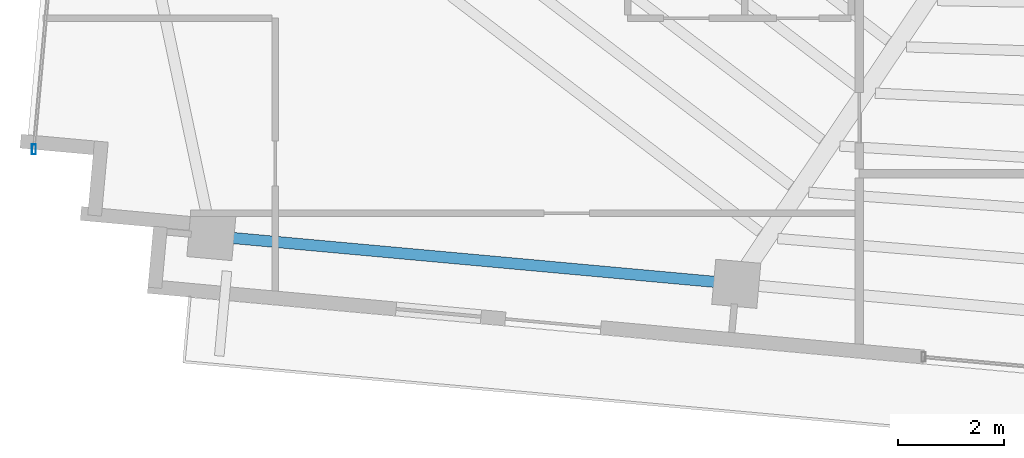
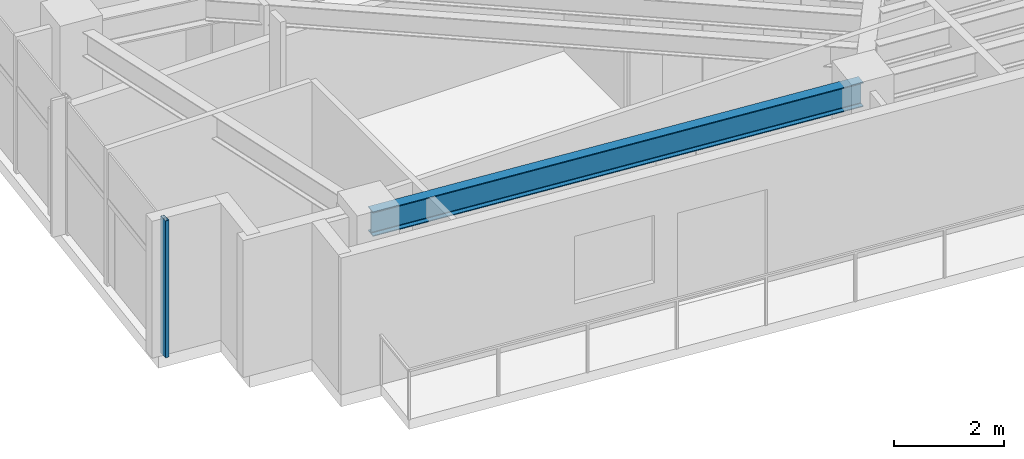
# One storey, part 2 of 22: 1 beam, 1 member, 1 element without a shape of its own.
"""IFC4 building model written with IfcOpenShell, lengths in metres."""

from ifc_helpers import new_model, si_unit, direction, frame, origin, origin_2d, place, context, subcontext, project, spatial, hollow_rectangle, i_section, extrude, source, transform, mapped, material, material_profile, profile_set, type_object, type_shapes, element, aggregate, save


model = new_model("IFC4")

# Units and contexts
model_context = context("Model", 3, precision=1e-05, world=origin(), true_north=direction((0.0, 1.0)))
body_context = subcontext(model_context, "Body", "Model", "MODEL_VIEW")
ifc_project = project(units=[si_unit("LENGTHUNIT", "METRE"), si_unit("AREAUNIT", "SQUARE_METRE"), si_unit("VOLUMEUNIT", "CUBIC_METRE"), si_unit("PLANEANGLEUNIT", "RADIAN"), si_unit("MASSUNIT", "GRAM", prefix="KILO")], contexts=[model_context])

# Site, building, storey
site_placement = place(None, origin())
site = spatial("IfcSite", under=ifc_project, at=site_placement, CompositionType="ELEMENT")
building_placement = place(site_placement, origin())
building = spatial("IfcBuilding", under=site, at=building_placement, Name="Astriad Promenade Condominiums", CompositionType="ELEMENT")
storey_placement = place(building_placement, frame((0.0, 0.0, 246.300048828125)))
storey = spatial("IfcBuildingStorey", under=building, at=storey_placement, Name="L71", CompositionType="ELEMENT", Elevation=246.300048828125)

# Beam
ifc_material_1 = material(Name="Steel ASTM A992 Grade 50", Category="steel")
ifc_material_profile_1 = material_profile(ifc_material_1, i_section(OverallWidth=0.210693359375, OverallDepth=0.53955078125, WebThickness=0.01171875, FlangeThickness=0.018798828125, FilletRadius=0.0166015625, at=origin_2d()), Name="W21X73")
ifc_profile_set_1 = profile_set([ifc_material_profile_1], Name="Steel ASTM A992 Grade 50")
beam_type = type_object("IfcBeamType", Name="STEEL SPANDREL BEAM W21X73", PredefinedType="SPANDREL", material=ifc_profile_set_1)
shared_shape_1 = source(origin(), body_context, "Body", "SweptSolid", [
    extrude(i_section(OverallWidth=0.210693359375, OverallDepth=0.53955078125, WebThickness=0.01171875, FlangeThickness=0.018798828125, FilletRadius=0.0166015625, at=origin_2d()), origin(), (0.0, 0.0, 1.0), 9.8203125),
])
type_shapes(beam_type, [shared_shape_1])
beam_placement = place(storey_placement, frame((12.421630859375, 12.102783203125, 2.770263671875), z_axis=(0.995883419264, -0.090643340822, 0.0), x_axis=(0.090643340822, 0.995883419264, 0.0)))
element("IfcBeam", 1, at=beam_placement, inside=storey, type_object=beam_type, Name="Perimeter Spandrel Beam SP-S1-L71", PredefinedType="SPANDREL", context=body_context, shape_type="MappedRepresentation", body=[
    mapped(shared_shape_1, transform((0.0, 0.0, 0.0), scale=1.0)),
])

# Curtain wall, member
ifc_material_2 = material(Name="Anodised aluminium Black Dark Glass Unitised", Category="aluminium")
curtain_wall_type = type_object("IfcCurtainWallType", Name="CW-B5-DARK", PredefinedType="USERDEFINED", material=ifc_material_2)
curtain_wall_placement = place(storey_placement, origin())
curtain_wall = element("IfcCurtainWall", 2, at=curtain_wall_placement, inside=storey, type_object=curtain_wall_type, Name="CW-L71-W", ObjectType="UNITISED_CURTAIN_WALL", PredefinedType="USERDEFINED")
ifc_material_3 = material(Name="Anodised aluminium 6063-T6 Black", Category="aluminium")
ifc_material_profile_2 = material_profile(ifc_material_3, hollow_rectangle(XDim=0.074951171875, YDim=0.18505859375, WallThickness=0.00439453125, at=origin_2d()), Name="ALU-MUL-75X185")
ifc_profile_set_2 = profile_set([ifc_material_profile_2], Name="Anodised aluminium 6063-T6 Black")
member_type = type_object("IfcMemberType", Name="MUL-ALU-MUL-75X185", PredefinedType="MULLION", material=ifc_profile_set_2)
shared_shape_2 = source(origin(), body_context, "Body", "SweptSolid", [
    extrude(hollow_rectangle(XDim=0.074951171875, YDim=0.18505859375, WallThickness=0.00439453125, at=origin_2d()), origin(), (0.0, 0.0, 1.0), 3.0400390625),
])
type_shapes(member_type, [shared_shape_2])
member_placement = place(storey_placement, frame((9.0458984375, 13.7353515625, 0.0), z_axis=(0.0, 0.0, 1.0), x_axis=(1.0, 0.0, 0.0)))
member = element("IfcMember", 3, at=member_placement, type_object=member_type, Name="CW-L71-W-MUL-00", PredefinedType="MULLION", context=body_context, shape_type="MappedRepresentation", body=[
    mapped(shared_shape_2, transform((0.0, 0.0, 0.0), scale=1.0)),
])
aggregate(curtain_wall, [member])

save(model, "model.ifc")
